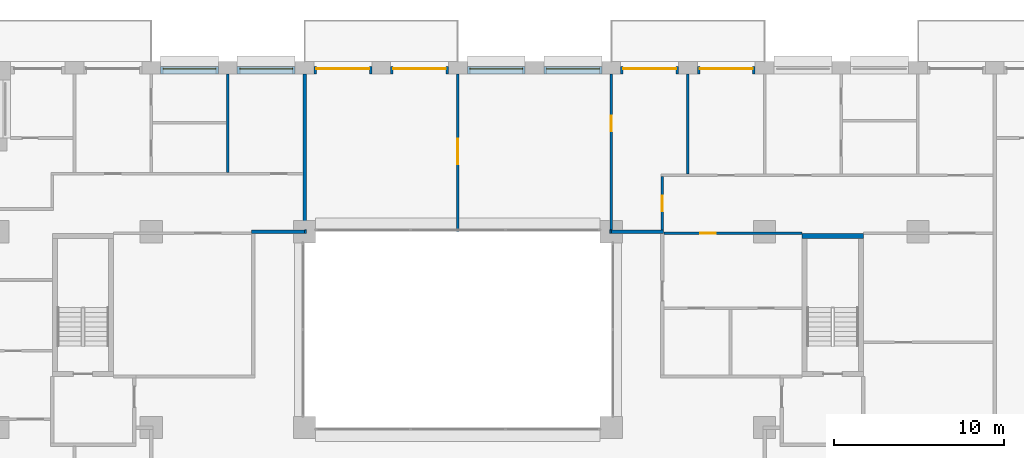
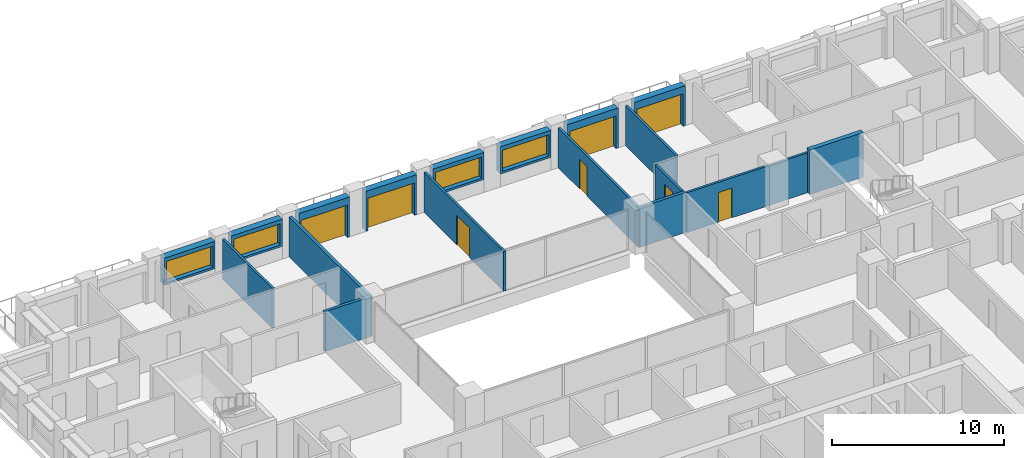
# One storey, part 13 of 16: 20 walls, 8 doors, 4 windows, 12 openings.
"""IFC4 building model written with IfcOpenShell, lengths in metres."""

from ifc_helpers import new_model, si_unit, direction, frame, frame_2d, origin, place, context, subcontext, project, spatial, rectangle, extrude, material, layer, layer_set, type_object, element, fill, save


model = new_model("IFC4")

# Units and contexts
model_context = context("Model", 3, precision=1e-05, world=origin(), true_north=direction((0.0, 1.0)))
body_context = subcontext(model_context, "Body", "Model", "MODEL_VIEW")
ifc_project = project(units=[si_unit("LENGTHUNIT", "METRE"), si_unit("AREAUNIT", "SQUARE_METRE"), si_unit("VOLUMEUNIT", "CUBIC_METRE"), si_unit("PLANEANGLEUNIT", "RADIAN"), si_unit("MASSUNIT", "GRAM", prefix="KILO")], contexts=[model_context])

# Site, building, storey
site_placement = place(None, origin())
site = spatial("IfcSite", under=ifc_project, at=site_placement, CompositionType="ELEMENT")
building_placement = place(site_placement, origin())
building = spatial("IfcBuilding", under=site, at=building_placement, Name="Brigalow Station Residences", CompositionType="ELEMENT")
storey_placement = place(building_placement, frame((0.0, 0.0, 86.699951171875)))
storey = spatial("IfcBuildingStorey", under=building, at=storey_placement, Name="L24", CompositionType="ELEMENT", Elevation=86.699951171875)

# Wall, opening, door
ifc_material_1 = material(Name="Clay brick masonry", Category="masonry")
ifc_layer_1 = layer(ifc_material_1, 0.449951171875)
ifc_layer_set_1 = layer_set([ifc_layer_1], Name="BRICK INFILL WALL 450")
wall_type_1 = type_object("IfcWallType", Name="BRICK INFILL WALL 450", PredefinedType="SOLIDWALL", material=ifc_layer_set_1)
wall_1_placement = place(storey_placement, frame((53.449951171875, 44.97509765625, 0.0), z_axis=(0.0, 0.0, 1.0), x_axis=(-1.0, 0.0, 0.0)))
wall_1 = element("IfcWall", 1, at=wall_1_placement, inside=storey, type_object=wall_type_1, Name="L24/ewall/W-L24-27", PredefinedType="SOLIDWALL", context=body_context, shape_type="SweptSolid", body=[
    extrude(rectangle(XDim=3.39990234375, YDim=0.449951171875, at=frame_2d((1.699951171875, 0.0))), origin(), (0.0, 0.0, 1.0), 2.830078125),
])
opening_1_placement = place(wall_1_placement, frame((0.14990234375, 0.0, 0.0)))
opening_1 = element("IfcOpeningElement", 2, at=opening_1_placement, cuts=wall_1, Name="Opening D-B3100", PredefinedType="OPENING", context=body_context, shape_type="SweptSolid", body=[
    extrude(rectangle(XDim=3.10009765625, YDim=2.300048828125, at=frame_2d((1.550048828125, 1.14990234375))), frame((0.0, 0.23486328125, 0.0), z_axis=(0.0, -1.0, 0.0), x_axis=(1.0, 0.0, 0.0)), (0.0, 0.0, 1.0), 0.469970703125),
])
ifc_material_2 = material(Name="Anodised aluminium frame with double glazing", Category="aluminium")
door_type_1 = type_object("IfcDoorType", Name="BALCONY SLIDING DOOR 3100x2300", OperationType="SLIDING_TO_LEFT", PredefinedType="DOOR", material=ifc_material_2)
door_1_placement = place(opening_1_placement, origin())
door_1 = element("IfcDoor", 3, at=door_1_placement, inside=storey, type_object=door_type_1, Name="L24/balcony-door/W-L24-27", OperationType="SLIDING_TO_LEFT", OverallHeight=2.300048828125, OverallWidth=3.10009765625, PredefinedType="DOOR", context=body_context, shape_type="SweptSolid", body=[
    extrude(rectangle(XDim=3.10009765625, YDim=2.300048828125, at=frame_2d((1.550048828125, 1.14990234375))), frame((0.0, -0.06982421875, 0.0), z_axis=(0.0, -1.0, 0.0), x_axis=(1.0, 0.0, 0.0)), (0.0, 0.0, 1.0), 0.050048828125),
])
fill(opening_1, door_1)

wall_2_placement = place(storey_placement, frame((48.949951171875, 44.97509765625, 0.0), z_axis=(0.0, 0.0, 1.0), x_axis=(-1.0, 0.0, 0.0)))
wall_2 = element("IfcWall", 4, at=wall_2_placement, inside=storey, type_object=wall_type_1, Name="L24/ewall/W-L24-28", PredefinedType="SOLIDWALL", context=body_context, shape_type="SweptSolid", body=[
    extrude(rectangle(XDim=3.39990234375, YDim=0.449951171875, at=frame_2d((1.699951171875, 0.0))), origin(), (0.0, 0.0, 1.0), 2.830078125),
])
opening_2_placement = place(wall_2_placement, frame((0.14990234375, 0.0, 0.0)))
opening_2 = element("IfcOpeningElement", 5, at=opening_2_placement, cuts=wall_2, Name="Opening D-B3100", PredefinedType="OPENING", context=body_context, shape_type="SweptSolid", body=[
    extrude(rectangle(XDim=3.10009765625, YDim=2.300048828125, at=frame_2d((1.550048828125, 1.14990234375))), frame((0.0, 0.23486328125, 0.0), z_axis=(0.0, -1.0, 0.0), x_axis=(1.0, 0.0, 0.0)), (0.0, 0.0, 1.0), 0.469970703125),
])
door_2_placement = place(opening_2_placement, origin())
door_2 = element("IfcDoor", 6, at=door_2_placement, inside=storey, type_object=door_type_1, Name="L24/balcony-door/W-L24-28", OperationType="SLIDING_TO_LEFT", OverallHeight=2.300048828125, OverallWidth=3.10009765625, PredefinedType="DOOR", context=body_context, shape_type="SweptSolid", body=[
    extrude(rectangle(XDim=3.10009765625, YDim=2.300048828125, at=frame_2d((1.550048828125, 1.14990234375))), frame((0.0, -0.06982421875, 0.0), z_axis=(0.0, -1.0, 0.0), x_axis=(1.0, 0.0, 0.0)), (0.0, 0.0, 1.0), 0.050048828125),
])
fill(opening_2, door_2)

# Wall, opening, window
wall_3_placement = place(storey_placement, frame((44.449951171875, 44.97509765625, 0.900146484375), z_axis=(0.0, 0.0, 1.0), x_axis=(-1.0, 0.0, 0.0)))
wall_3 = element("IfcWall", 7, at=wall_3_placement, inside=storey, type_object=wall_type_1, Name="L24/ewall/W-L24-29", PredefinedType="SOLIDWALL", context=body_context, shape_type="SweptSolid", body=[
    extrude(rectangle(XDim=3.39990234375, YDim=0.449951171875, at=frame_2d((1.699951171875, 0.0))), origin(), (0.0, 0.0, 1.0), 1.929931640625),
])
opening_3_placement = place(wall_3_placement, frame((0.14990234375, 0.0, 0.14990234375)))
opening_3 = element("IfcOpeningElement", 8, at=opening_3_placement, cuts=wall_3, Name="Opening WT-8", PredefinedType="OPENING", context=body_context, shape_type="SweptSolid", body=[
    extrude(rectangle(XDim=3.10009765625, YDim=1.5, at=frame_2d((1.550048828125, 0.75))), frame((0.0, 0.23486328125, 0.0), z_axis=(0.0, -1.0, 0.0), x_axis=(1.0, 0.0, 0.0)), (0.0, 0.0, 1.0), 0.469970703125),
])
ifc_material_3 = material(Name="Anodised aluminium frame with double glazing", Category="aluminium")
window_type = type_object("IfcWindowType", Name="WINDOW 3100x1500", PartitioningType="SINGLE_PANEL", PredefinedType="WINDOW", material=ifc_material_3)
window_1_placement = place(opening_3_placement, origin())
window_1 = element("IfcWindow", 9, at=window_1_placement, inside=storey, type_object=window_type, Name="L24/window/W-L24-29", OverallHeight=1.5, OverallWidth=3.10009765625, PartitioningType="SINGLE_PANEL", PredefinedType="WINDOW", context=body_context, shape_type="SweptSolid", body=[
    extrude(rectangle(XDim=3.10009765625, YDim=1.5, at=frame_2d((1.550048828125, 0.75))), frame((0.0, -0.06494140625, 0.0), z_axis=(0.0, -1.0, 0.0), x_axis=(1.0, 0.0, 0.0)), (0.0, 0.0, 1.0), 0.06005859375),
])
fill(opening_3, window_1)

wall_4_placement = place(storey_placement, frame((39.949951171875, 44.97509765625, 0.900146484375), z_axis=(0.0, 0.0, 1.0), x_axis=(-1.0, 0.0, 0.0)))
wall_4 = element("IfcWall", 10, at=wall_4_placement, inside=storey, type_object=wall_type_1, Name="L24/ewall/W-L24-30", PredefinedType="SOLIDWALL", context=body_context, shape_type="SweptSolid", body=[
    extrude(rectangle(XDim=3.39990234375, YDim=0.449951171875, at=frame_2d((1.699951171875, 0.0))), origin(), (0.0, 0.0, 1.0), 1.929931640625),
])
opening_4_placement = place(wall_4_placement, frame((0.14990234375, 0.0, 0.14990234375)))
opening_4 = element("IfcOpeningElement", 11, at=opening_4_placement, cuts=wall_4, Name="Opening WT-8", PredefinedType="OPENING", context=body_context, shape_type="SweptSolid", body=[
    extrude(rectangle(XDim=3.10009765625, YDim=1.5, at=frame_2d((1.550048828125, 0.75))), frame((0.0, 0.23486328125, 0.0), z_axis=(0.0, -1.0, 0.0), x_axis=(1.0, 0.0, 0.0)), (0.0, 0.0, 1.0), 0.469970703125),
])
window_2_placement = place(opening_4_placement, origin())
window_2 = element("IfcWindow", 12, at=window_2_placement, inside=storey, type_object=window_type, Name="L24/window/W-L24-30", OverallHeight=1.5, OverallWidth=3.10009765625, PartitioningType="SINGLE_PANEL", PredefinedType="WINDOW", context=body_context, shape_type="SweptSolid", body=[
    extrude(rectangle(XDim=3.10009765625, YDim=1.5, at=frame_2d((1.550048828125, 0.75))), frame((0.0, -0.06494140625, 0.0), z_axis=(0.0, -1.0, 0.0), x_axis=(1.0, 0.0, 0.0)), (0.0, 0.0, 1.0), 0.06005859375),
])
fill(opening_4, window_2)

# Wall, opening, door
wall_5_placement = place(storey_placement, frame((35.449951171875, 44.97509765625, 0.0), z_axis=(0.0, 0.0, 1.0), x_axis=(-1.0, 0.0, 0.0)))
wall_5 = element("IfcWall", 13, at=wall_5_placement, inside=storey, type_object=wall_type_1, Name="L24/ewall/W-L24-31", PredefinedType="SOLIDWALL", context=body_context, shape_type="SweptSolid", body=[
    extrude(rectangle(XDim=3.39990234375, YDim=0.449951171875, at=frame_2d((1.699951171875, 0.0))), origin(), (0.0, 0.0, 1.0), 2.830078125),
])
opening_5_placement = place(wall_5_placement, frame((0.14990234375, 0.0, 0.0)))
opening_5 = element("IfcOpeningElement", 14, at=opening_5_placement, cuts=wall_5, Name="Opening D-B3100", PredefinedType="OPENING", context=body_context, shape_type="SweptSolid", body=[
    extrude(rectangle(XDim=3.10009765625, YDim=2.300048828125, at=frame_2d((1.550048828125, 1.14990234375))), frame((0.0, 0.23486328125, 0.0), z_axis=(0.0, -1.0, 0.0), x_axis=(1.0, 0.0, 0.0)), (0.0, 0.0, 1.0), 0.469970703125),
])
door_3_placement = place(opening_5_placement, origin())
door_3 = element("IfcDoor", 15, at=door_3_placement, inside=storey, type_object=door_type_1, Name="L24/balcony-door/W-L24-31", OperationType="SLIDING_TO_LEFT", OverallHeight=2.300048828125, OverallWidth=3.10009765625, PredefinedType="DOOR", context=body_context, shape_type="SweptSolid", body=[
    extrude(rectangle(XDim=3.10009765625, YDim=2.300048828125, at=frame_2d((1.550048828125, 1.14990234375))), frame((0.0, -0.06982421875, 0.0), z_axis=(0.0, -1.0, 0.0), x_axis=(1.0, 0.0, 0.0)), (0.0, 0.0, 1.0), 0.050048828125),
])
fill(opening_5, door_3)

wall_6_placement = place(storey_placement, frame((30.949951171875, 44.97509765625, 0.0), z_axis=(0.0, 0.0, 1.0), x_axis=(-1.0, 0.0, 0.0)))
wall_6 = element("IfcWall", 16, at=wall_6_placement, inside=storey, type_object=wall_type_1, Name="L24/ewall/W-L24-32", PredefinedType="SOLIDWALL", context=body_context, shape_type="SweptSolid", body=[
    extrude(rectangle(XDim=3.39990234375, YDim=0.449951171875, at=frame_2d((1.699951171875, 0.0))), origin(), (0.0, 0.0, 1.0), 2.830078125),
])
opening_6_placement = place(wall_6_placement, frame((0.14990234375, 0.0, 0.0)))
opening_6 = element("IfcOpeningElement", 17, at=opening_6_placement, cuts=wall_6, Name="Opening D-B3100", PredefinedType="OPENING", context=body_context, shape_type="SweptSolid", body=[
    extrude(rectangle(XDim=3.10009765625, YDim=2.300048828125, at=frame_2d((1.550048828125, 1.14990234375))), frame((0.0, 0.23486328125, 0.0), z_axis=(0.0, -1.0, 0.0), x_axis=(1.0, 0.0, 0.0)), (0.0, 0.0, 1.0), 0.469970703125),
])
door_4_placement = place(opening_6_placement, origin())
door_4 = element("IfcDoor", 18, at=door_4_placement, inside=storey, type_object=door_type_1, Name="L24/balcony-door/W-L24-32", OperationType="SLIDING_TO_LEFT", OverallHeight=2.300048828125, OverallWidth=3.10009765625, PredefinedType="DOOR", context=body_context, shape_type="SweptSolid", body=[
    extrude(rectangle(XDim=3.10009765625, YDim=2.300048828125, at=frame_2d((1.550048828125, 1.14990234375))), frame((0.0, -0.06982421875, 0.0), z_axis=(0.0, -1.0, 0.0), x_axis=(1.0, 0.0, 0.0)), (0.0, 0.0, 1.0), 0.050048828125),
])
fill(opening_6, door_4)

# Wall, opening, window
wall_7_placement = place(storey_placement, frame((26.449951171875, 44.97509765625, 0.900146484375), z_axis=(0.0, 0.0, 1.0), x_axis=(-1.0, 0.0, 0.0)))
wall_7 = element("IfcWall", 19, at=wall_7_placement, inside=storey, type_object=wall_type_1, Name="L24/ewall/W-L24-33", PredefinedType="SOLIDWALL", context=body_context, shape_type="SweptSolid", body=[
    extrude(rectangle(XDim=3.39990234375, YDim=0.449951171875, at=frame_2d((1.699951171875, 0.0))), origin(), (0.0, 0.0, 1.0), 1.929931640625),
])
opening_7_placement = place(wall_7_placement, frame((0.14990234375, 0.0, 0.14990234375)))
opening_7 = element("IfcOpeningElement", 20, at=opening_7_placement, cuts=wall_7, Name="Opening WT-8", PredefinedType="OPENING", context=body_context, shape_type="SweptSolid", body=[
    extrude(rectangle(XDim=3.10009765625, YDim=1.5, at=frame_2d((1.550048828125, 0.75))), frame((0.0, 0.23486328125, 0.0), z_axis=(0.0, -1.0, 0.0), x_axis=(1.0, 0.0, 0.0)), (0.0, 0.0, 1.0), 0.469970703125),
])
window_3_placement = place(opening_7_placement, origin())
window_3 = element("IfcWindow", 21, at=window_3_placement, inside=storey, type_object=window_type, Name="L24/window/W-L24-33", OverallHeight=1.5, OverallWidth=3.10009765625, PartitioningType="SINGLE_PANEL", PredefinedType="WINDOW", context=body_context, shape_type="SweptSolid", body=[
    extrude(rectangle(XDim=3.10009765625, YDim=1.5, at=frame_2d((1.550048828125, 0.75))), frame((0.0, -0.06494140625, 0.0), z_axis=(0.0, -1.0, 0.0), x_axis=(1.0, 0.0, 0.0)), (0.0, 0.0, 1.0), 0.06005859375),
])
fill(opening_7, window_3)

wall_8_placement = place(storey_placement, frame((21.949951171875, 44.97509765625, 0.900146484375), z_axis=(0.0, 0.0, 1.0), x_axis=(-1.0, 0.0, 0.0)))
wall_8 = element("IfcWall", 22, at=wall_8_placement, inside=storey, type_object=wall_type_1, Name="L24/ewall/W-L24-34", PredefinedType="SOLIDWALL", context=body_context, shape_type="SweptSolid", body=[
    extrude(rectangle(XDim=3.39990234375, YDim=0.449951171875, at=frame_2d((1.699951171875, 0.0))), origin(), (0.0, 0.0, 1.0), 1.929931640625),
])
opening_8_placement = place(wall_8_placement, frame((0.14990234375, 0.0, 0.14990234375)))
opening_8 = element("IfcOpeningElement", 23, at=opening_8_placement, cuts=wall_8, Name="Opening WT-8", PredefinedType="OPENING", context=body_context, shape_type="SweptSolid", body=[
    extrude(rectangle(XDim=3.10009765625, YDim=1.5, at=frame_2d((1.550048828125, 0.75))), frame((0.0, 0.23486328125, 0.0), z_axis=(0.0, -1.0, 0.0), x_axis=(1.0, 0.0, 0.0)), (0.0, 0.0, 1.0), 0.469970703125),
])
window_4_placement = place(opening_8_placement, origin())
window_4 = element("IfcWindow", 24, at=window_4_placement, inside=storey, type_object=window_type, Name="L24/window/W-L24-34", OverallHeight=1.5, OverallWidth=3.10009765625, PartitioningType="SINGLE_PANEL", PredefinedType="WINDOW", context=body_context, shape_type="SweptSolid", body=[
    extrude(rectangle(XDim=3.10009765625, YDim=1.5, at=frame_2d((1.550048828125, 0.75))), frame((0.0, -0.06494140625, 0.0), z_axis=(0.0, -1.0, 0.0), x_axis=(1.0, 0.0, 0.0)), (0.0, 0.0, 1.0), 0.06005859375),
])
fill(opening_8, window_4)

# Wall
ifc_material_4 = material(Name="Concrete C65", Category="concrete")
ifc_layer_2 = layer(ifc_material_4, 0.300048828125)
ifc_layer_set_2 = layer_set([ifc_layer_2], Name="CORE SHEAR WALL 300 C65")
wall_type_2 = type_object("IfcWallType", Name="CORE SHEAR WALL 300 C65", PredefinedType="SHEAR", material=ifc_layer_set_2)
wall_9_placement = place(storey_placement, frame((56.199951171875, 35.25, 0.0), z_axis=(0.0, 0.0, 1.0), x_axis=(1.0, 0.0, 0.0)))
element("IfcWall", 25, at=wall_9_placement, inside=storey, type_object=wall_type_2, Name="CORE WALL ST-S3-N L24", PredefinedType="SHEAR", context=body_context, shape_type="SweptSolid", body=[
    extrude(rectangle(XDim=3.60009765625, YDim=0.300048828125, at=frame_2d((1.800048828125, 0.0))), origin(), (0.0, 0.0, 1.0), 3.150146484375),
])

# Wall, opening, door
ifc_material_5 = material(Name="Plasterboard on steel stud partition", Category="steel")
ifc_layer_3 = layer(ifc_material_5, 0.14990234375)
ifc_layer_set_3 = layer_set([ifc_layer_3], Name="FLAT PARTITION 150")
wall_type_3 = type_object("IfcWallType", Name="FLAT PARTITION 150", PredefinedType="PARTITIONING", material=ifc_layer_set_3)
wall_10_placement = place(storey_placement, frame((48.10009765625, 35.39990234375, 0.0), z_axis=(0.0, 0.0, 1.0), x_axis=(1.0, 0.0, 0.0)))
wall_10 = element("IfcWall", 26, at=wall_10_placement, inside=storey, type_object=wall_type_3, Name="PW-2A29", PredefinedType="PARTITIONING", context=body_context, shape_type="SweptSolid", body=[
    extrude(rectangle(XDim=8.099853515625, YDim=0.14990234375, at=frame_2d((4.0498046875, 0.0))), origin(), (0.0, 0.0, 1.0), 2.830078125),
])
opening_9_placement = place(wall_10_placement, frame((2.125, 0.0, 0.0)))
opening_9 = element("IfcOpeningElement", 27, at=opening_9_placement, cuts=wall_10, Name="Opening D-2A23", PredefinedType="OPENING", context=body_context, shape_type="SweptSolid", body=[
    extrude(rectangle(XDim=0.89990234375, YDim=2.10009765625, at=frame_2d((0.449951171875, 1.050048828125))), frame((0.0, 0.0849609375, 0.0), z_axis=(0.0, -1.0, 0.0), x_axis=(1.0, 0.0, 0.0)), (0.0, 0.0, 1.0), 0.169921875),
])
ifc_material_6 = material(Name="Solid-core timber door leaf", Category="wood")
door_type_2 = type_object("IfcDoorType", Name="INTERNAL DOOR 900 x 2100", OperationType="SINGLE_SWING_LEFT", PredefinedType="DOOR", material=ifc_material_6)
door_5_placement = place(opening_9_placement, frame((0.89990234375, 0.0, 0.0), z_axis=(0.0, 0.0, 1.0), x_axis=(-1.0, 0.0, 0.0)))
door_5 = element("IfcDoor", 28, at=door_5_placement, inside=storey, type_object=door_type_2, Name="D-2A23", OperationType="SINGLE_SWING_RIGHT", OverallHeight=2.10009765625, OverallWidth=0.89990234375, PredefinedType="DOOR", context=body_context, shape_type="SweptSolid", body=[
    extrude(rectangle(XDim=0.89990234375, YDim=2.10009765625, at=frame_2d((0.449951171875, 1.050048828125))), frame((0.0, 0.02490234375, 0.0), z_axis=(0.0, -1.0, 0.0), x_axis=(1.0, 0.0, 0.0)), (0.0, 0.0, 1.0), 0.050048828125),
])
fill(opening_9, door_5)

wall_11_placement = place(storey_placement, frame((48.0, 35.60009765625, 0.0), z_axis=(0.0, 0.0, 1.0), x_axis=(0.0, 1.0, 0.0)))
wall_11 = element("IfcWall", 29, at=wall_11_placement, inside=storey, type_object=wall_type_3, Name="PW-2A46", PredefinedType="PARTITIONING", context=body_context, shape_type="SweptSolid", body=[
    extrude(rectangle(XDim=3.125, YDim=0.14990234375, at=frame_2d((1.5625, 0.0))), origin(), (0.0, 0.0, 1.0), 2.830078125),
])
opening_10_placement = place(wall_11_placement, frame((1.10009765625, 0.0, 0.0)))
opening_10 = element("IfcOpeningElement", 30, at=opening_10_placement, cuts=wall_11, Name="Opening D-2A24", PredefinedType="OPENING", context=body_context, shape_type="SweptSolid", body=[
    extrude(rectangle(XDim=0.89990234375, YDim=2.10009765625, at=frame_2d((0.449951171875, 1.050048828125))), frame((0.0, 0.0849609375, 0.0), z_axis=(0.0, -1.0, 0.0), x_axis=(1.0, 0.0, 0.0)), (0.0, 0.0, 1.0), 0.169921875),
])
door_6_placement = place(opening_10_placement, origin())
door_6 = element("IfcDoor", 31, at=door_6_placement, inside=storey, type_object=door_type_2, Name="D-2A24", OperationType="SINGLE_SWING_LEFT", OverallHeight=2.10009765625, OverallWidth=0.89990234375, PredefinedType="DOOR", context=body_context, shape_type="SweptSolid", body=[
    extrude(rectangle(XDim=0.89990234375, YDim=2.10009765625, at=frame_2d((0.449951171875, 1.050048828125))), frame((0.0, 0.02490234375, 0.0), z_axis=(0.0, -1.0, 0.0), x_axis=(1.0, 0.0, 0.0)), (0.0, 0.0, 1.0), 0.050048828125),
])
fill(opening_10, door_6)

# Wall
wall_12_placement = place(storey_placement, frame((22.5, 38.97509765625, 0.0), z_axis=(0.0, 0.0, 1.0), x_axis=(0.0, 1.0, 0.0)))
element("IfcWall", 32, at=wall_12_placement, inside=storey, type_object=wall_type_3, Name="PW-2A55", PredefinedType="PARTITIONING", context=body_context, shape_type="SweptSolid", body=[
    extrude(rectangle(XDim=5.77490234375, YDim=0.14990234375, at=frame_2d((2.887451171875, 0.0))), origin(), (0.0, 0.0, 1.0), 2.830078125),
])

# Wall, opening, door
wall_13_placement = place(storey_placement, frame((36.0, 35.5, 0.0), z_axis=(0.0, 0.0, 1.0), x_axis=(0.0, 1.0, 0.0)))
wall_13 = element("IfcWall", 33, at=wall_13_placement, inside=storey, type_object=wall_type_3, Name="PW-2A56", PredefinedType="PARTITIONING", context=body_context, shape_type="SweptSolid", body=[
    extrude(rectangle(XDim=9.25, YDim=0.14990234375, at=frame_2d((4.625, 0.0))), origin(), (0.0, 0.0, 1.0), 2.830078125),
])
opening_11_placement = place(wall_13_placement, frame((3.949951171875, 0.0, 0.0)))
opening_11 = element("IfcOpeningElement", 34, at=opening_11_placement, cuts=wall_13, Name="Opening D-2A26", PredefinedType="OPENING", context=body_context, shape_type="SweptSolid", body=[
    extrude(rectangle(XDim=1.5, YDim=2.10009765625, at=frame_2d((0.75, 1.050048828125))), frame((0.0, 0.0849609375, 0.0), z_axis=(0.0, -1.0, 0.0), x_axis=(1.0, 0.0, 0.0)), (0.0, 0.0, 1.0), 0.169921875),
])
ifc_material_7 = material(Name="Solid-core timber door leaf", Category="wood")
door_type_3 = type_object("IfcDoorType", Name="INTERNAL DOUBLE DOOR 1500 x 2100", OperationType="DOUBLE_DOOR_SINGLE_SWING", PredefinedType="DOOR", material=ifc_material_7)
door_7_placement = place(opening_11_placement, origin())
door_7 = element("IfcDoor", 35, at=door_7_placement, inside=storey, type_object=door_type_3, Name="D-2A26", OperationType="DOUBLE_DOOR_SINGLE_SWING", OverallHeight=2.10009765625, OverallWidth=1.5, PredefinedType="DOOR", context=body_context, shape_type="SweptSolid", body=[
    extrude(rectangle(XDim=1.5, YDim=2.10009765625, at=frame_2d((0.75, 1.050048828125))), frame((0.0, 0.02490234375, 0.0), z_axis=(0.0, -1.0, 0.0), x_axis=(1.0, 0.0, 0.0)), (0.0, 0.0, 1.0), 0.050048828125),
])
fill(opening_11, door_7)

wall_14_placement = place(storey_placement, frame((45.0, 35.60009765625, 0.0), z_axis=(0.0, 0.0, 1.0), x_axis=(0.0, 1.0, 0.0)))
wall_14 = element("IfcWall", 36, at=wall_14_placement, inside=storey, type_object=wall_type_3, Name="PW-2A57", PredefinedType="PARTITIONING", context=body_context, shape_type="SweptSolid", body=[
    extrude(rectangle(XDim=9.14990234375, YDim=0.14990234375, at=frame_2d((4.574951171875, 0.0))), origin(), (0.0, 0.0, 1.0), 2.830078125),
])
opening_12_placement = place(wall_14_placement, frame((5.800048828125, 0.0, 0.0)))
opening_12 = element("IfcOpeningElement", 37, at=opening_12_placement, cuts=wall_14, Name="Opening D-2A25", PredefinedType="OPENING", context=body_context, shape_type="SweptSolid", body=[
    extrude(rectangle(XDim=0.89990234375, YDim=2.10009765625, at=frame_2d((0.449951171875, 1.050048828125))), frame((0.0, 0.0849609375, 0.0), z_axis=(0.0, -1.0, 0.0), x_axis=(1.0, 0.0, 0.0)), (0.0, 0.0, 1.0), 0.169921875),
])
door_8_placement = place(opening_12_placement, frame((0.89990234375, 0.0, 0.0), z_axis=(0.0, 0.0, 1.0), x_axis=(-1.0, 0.0, 0.0)))
door_8 = element("IfcDoor", 38, at=door_8_placement, inside=storey, type_object=door_type_2, Name="D-2A25", OperationType="SINGLE_SWING_LEFT", OverallHeight=2.10009765625, OverallWidth=0.89990234375, PredefinedType="DOOR", context=body_context, shape_type="SweptSolid", body=[
    extrude(rectangle(XDim=0.89990234375, YDim=2.10009765625, at=frame_2d((0.449951171875, 1.050048828125))), frame((0.0, 0.02490234375, 0.0), z_axis=(0.0, -1.0, 0.0), x_axis=(1.0, 0.0, 0.0)), (0.0, 0.0, 1.0), 0.050048828125),
])
fill(opening_12, door_8)

# Walls
wall_15_placement = place(storey_placement, frame((49.5, 38.875, 0.0), z_axis=(0.0, 0.0, 1.0), x_axis=(0.0, 1.0, 0.0)))
element("IfcWall", 39, at=wall_15_placement, inside=storey, type_object=wall_type_3, Name="PW-2A58", PredefinedType="PARTITIONING", context=body_context, shape_type="SweptSolid", body=[
    extrude(rectangle(XDim=5.875, YDim=0.14990234375, at=frame_2d((2.9375, 0.0))), origin(), (0.0, 0.0, 1.0), 2.830078125),
])
ifc_material_8 = material(Name="Plasterboard on steel stud partition", Category="steel")
ifc_layer_4 = layer(ifc_material_8, 0.199951171875)
ifc_layer_set_4 = layer_set([ifc_layer_4], Name="PARTY AND CORRIDOR WALL 200")
wall_type_4 = type_object("IfcWallType", Name="PARTY AND CORRIDOR WALL 200", PredefinedType="PARTITIONING", material=ifc_layer_set_4)
wall_16_placement = place(storey_placement, frame((23.89990234375, 35.5, 0.0), z_axis=(0.0, 0.0, 1.0), x_axis=(1.0, 0.0, 0.0)))
element("IfcWall", 40, at=wall_16_placement, inside=storey, type_object=wall_type_4, Name="PW-2A07", PredefinedType="PARTITIONING", context=body_context, shape_type="SweptSolid", body=[
    extrude(rectangle(XDim=3.10009765625, YDim=0.199951171875, at=frame_2d((1.550048828125, 0.0))), origin(), (0.0, 0.0, 1.0), 2.830078125),
])
wall_17_placement = place(storey_placement, frame((27.0, 35.5, 0.0), z_axis=(0.0, 0.0, 1.0), x_axis=(1.0, 0.0, 0.0)))
element("IfcWall", 41, at=wall_17_placement, inside=storey, type_object=wall_type_4, Name="PW-2A08", PredefinedType="PARTITIONING", context=body_context, shape_type="SweptSolid", body=[
    extrude(rectangle(XDim=0.10009765625, YDim=0.199951171875, at=frame_2d((0.050048828125, 0.0))), origin(), (0.0, 0.0, 1.0), 2.830078125),
])
wall_18_placement = place(storey_placement, frame((44.925048828125, 35.5, 0.0), z_axis=(0.0, 0.0, 1.0), x_axis=(1.0, 0.0, 0.0)))
element("IfcWall", 42, at=wall_18_placement, inside=storey, type_object=wall_type_4, Name="PW-2A09", PredefinedType="PARTITIONING", context=body_context, shape_type="SweptSolid", body=[
    extrude(rectangle(XDim=0.074951171875, YDim=0.199951171875, at=frame_2d((0.03759765625, 0.0))), origin(), (0.0, 0.0, 1.0), 2.830078125),
])
wall_19_placement = place(storey_placement, frame((45.0, 35.5, 0.0), z_axis=(0.0, 0.0, 1.0), x_axis=(1.0, 0.0, 0.0)))
element("IfcWall", 43, at=wall_19_placement, inside=storey, type_object=wall_type_4, Name="PW-2A10", PredefinedType="PARTITIONING", context=body_context, shape_type="SweptSolid", body=[
    extrude(rectangle(XDim=3.074951171875, YDim=0.199951171875, at=frame_2d((1.53759765625, 0.0))), origin(), (0.0, 0.0, 1.0), 2.830078125),
])
wall_20_placement = place(storey_placement, frame((27.0, 35.60009765625, 0.0), z_axis=(0.0, 0.0, 1.0), x_axis=(0.0, 1.0, 0.0)))
element("IfcWall", 44, at=wall_20_placement, inside=storey, type_object=wall_type_4, Name="PW-2A54", PredefinedType="PARTITIONING", context=body_context, shape_type="SweptSolid", body=[
    extrude(rectangle(XDim=9.14990234375, YDim=0.199951171875, at=frame_2d((4.574951171875, 0.0))), origin(), (0.0, 0.0, 1.0), 2.830078125),
])

save(model, "model.ifc")
